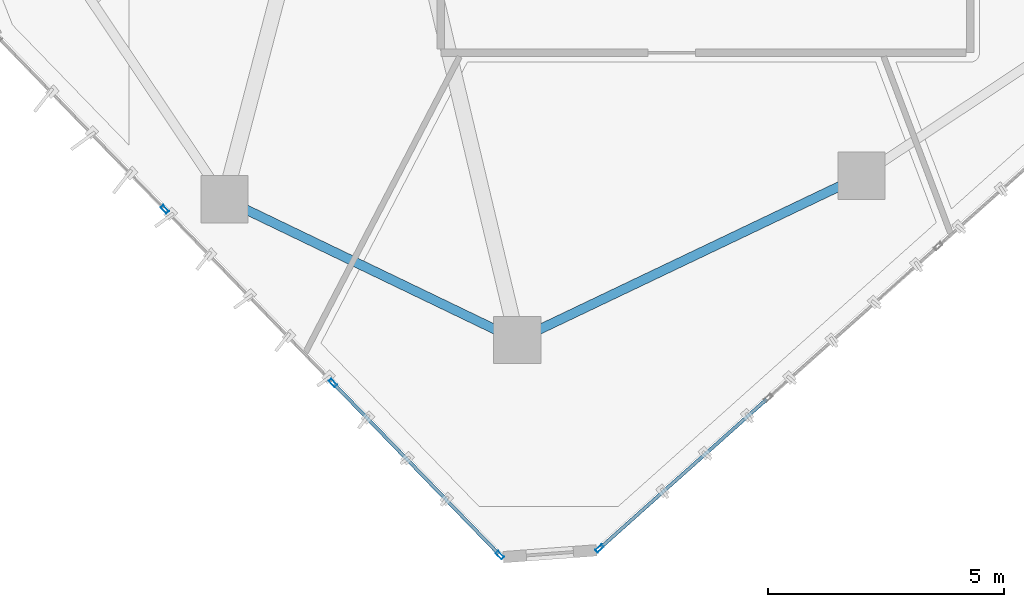
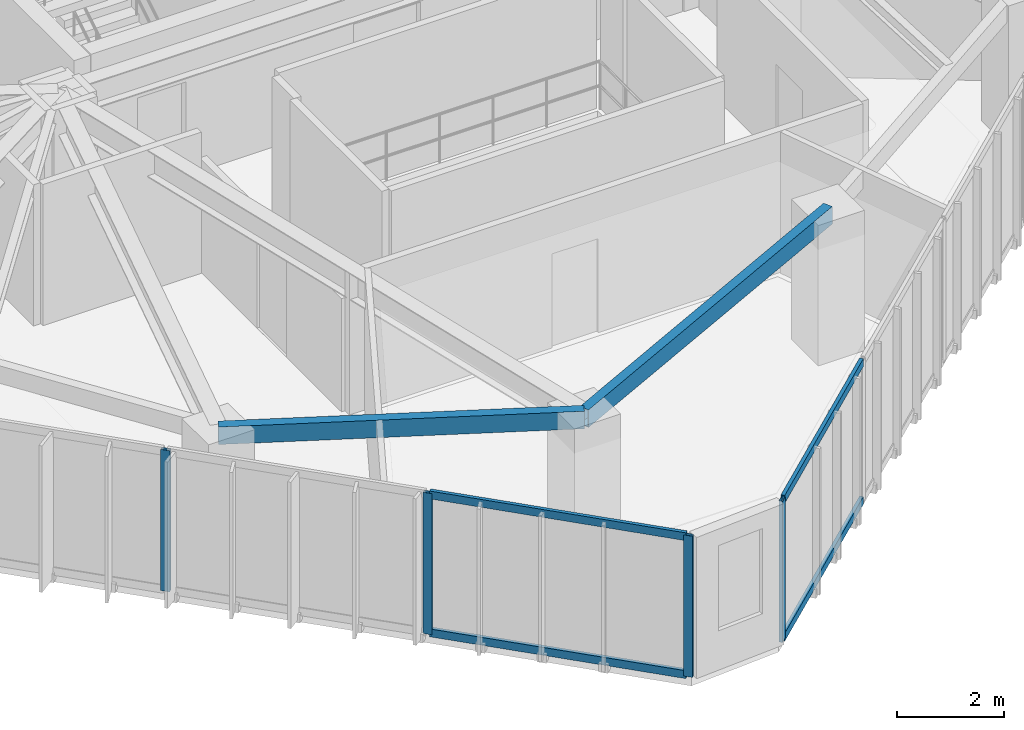
# One storey, part 2 of 20: 8 members, 2 beams, 2 elements without a shape of their own.
"""IFC4 building model written with IfcOpenShell, lengths in metres."""

from ifc_helpers import new_model, si_unit, direction, frame, origin, origin_2d, place, context, subcontext, project, spatial, hollow_rectangle, extrude, source, transform, mapped, material, layer, layer_set, material_profile, profile_set, type_object, type_shapes, element, aggregate, save


model = new_model("IFC4")

# Units and contexts
model_context = context("Model", 3, precision=1e-05, world=origin(), true_north=direction((0.0, 1.0)))
body_context = subcontext(model_context, "Body", "Model", "MODEL_VIEW")
ifc_project = project(units=[si_unit("LENGTHUNIT", "METRE"), si_unit("AREAUNIT", "SQUARE_METRE"), si_unit("VOLUMEUNIT", "CUBIC_METRE"), si_unit("PLANEANGLEUNIT", "RADIAN"), si_unit("MASSUNIT", "GRAM", prefix="KILO")], contexts=[model_context])

# Site, building, storey
site_placement = place(None, origin())
site = spatial("IfcSite", under=ifc_project, at=site_placement, CompositionType="ELEMENT")
building_placement = place(site_placement, origin())
building = spatial("IfcBuilding", under=site, at=building_placement, Name="Talar Marvaseh", CompositionType="ELEMENT")
storey_placement = place(building_placement, frame((0.0, 0.0, 215.199951171875)))
storey = spatial("IfcBuildingStorey", under=building, at=storey_placement, Name="L56", CompositionType="ELEMENT", Elevation=215.199951171875)

# Beams
ifc_material_1 = material(Name="Steel S355", Category="steel")
ifc_material_profile_1 = material_profile(ifc_material_1, hollow_rectangle(XDim=0.199951171875, YDim=0.39990234375, WallThickness=0.013916015625, at=origin_2d()), Name="RHS400x200x14")
ifc_profile_set_1 = profile_set([ifc_material_profile_1], Name="Steel S355")
beam_type = type_object("IfcBeamType", Name="Zone 3 Perimeter Spandrel Beam RHS400x200x14", PredefinedType="SPANDREL", material=ifc_profile_set_1)
beam_1_placement = place(storey_placement, frame((29.299072265625, 14.993896484375, 3.030029296875), z_axis=(-0.902562267408, -0.430559349511, 0.0), x_axis=(0.430559349511, -0.902562267408, 0.0)))
element("IfcBeam", 1, at=beam_1_placement, inside=storey, type_object=beam_type, Name="L56 Zone 3 Perimeter Spandrel Beam RHS400x200x14", PredefinedType="SPANDREL", context=body_context, shape_type="SweptSolid", body=[
    extrude(hollow_rectangle(XDim=0.199951171875, YDim=0.39990234375, WallThickness=0.013916015625, at=origin_2d()), origin(), (0.0, 0.0, 1.0), 8.070556640625),
])
beam_2_placement = place(storey_placement, frame((22.014892578125, 11.51904296875, 3.030029296875), z_axis=(-0.901071562993, 0.433670425975, 0.0), x_axis=(-0.433670425975, -0.901071562993, 0.0)))
element("IfcBeam", 2, at=beam_2_placement, inside=storey, type_object=beam_type, Name="L56 Zone 3 Perimeter Spandrel Beam RHS400x200x14", PredefinedType="SPANDREL", context=body_context, shape_type="SweptSolid", body=[
    extrude(hollow_rectangle(XDim=0.199951171875, YDim=0.39990234375, WallThickness=0.013916015625, at=origin_2d()), origin(), (0.0, 0.0, 1.0), 6.8759765625),
])

# Curtain wall, members
ifc_material_2 = material(Name="Architectural Aluminium", Category="aluminium")
ifc_layer = layer(ifc_material_2, 0.18994140625)
ifc_layer_set = layer_set([ifc_layer], Name="Architectural Aluminium")
curtain_wall_type = type_object("IfcCurtainWallType", Name="Unitised Solar Atelier Curtain Wall Z3", PredefinedType="NOTDEFINED", material=ifc_layer_set)
curtain_wall_1_placement = place(storey_placement, origin())
curtain_wall_1 = element("IfcCurtainWall", 3, at=curtain_wall_1_placement, inside=storey, type_object=curtain_wall_type, Name="L56 Unitised Solar Atelier Curtain Wall Z3", PredefinedType="NOTDEFINED")
ifc_material_profile_2 = material_profile(ifc_material_2, hollow_rectangle(XDim=0.074951171875, YDim=0.179931640625, WallThickness=0.0048828125, at=origin_2d()), Name="RHS180x75x5")
ifc_profile_set_2 = profile_set([ifc_material_profile_2], Name="Architectural Aluminium")
member_type_1 = type_object("IfcMemberType", Name="Unitised Curtain Wall Standard Mullion RHS180x75x5", PredefinedType="MULLION", material=ifc_profile_set_2)
shared_shape_1 = source(origin(), body_context, "Body", "SweptSolid", [
    extrude(hollow_rectangle(XDim=0.074951171875, YDim=0.179931640625, WallThickness=0.0048828125, at=origin_2d()), origin(), (0.0, 0.0, 1.0), 3.22998046875),
])
type_shapes(member_type_1, [shared_shape_1])
member_1_placement = place(storey_placement, frame((21.647705078125, 6.9697265625, 0.0), z_axis=(0.0, 0.0, 1.0), x_axis=(-0.718173328427, -0.695864261431, 0.0)))
member_1 = element("IfcMember", 4, at=member_1_placement, type_object=member_type_1, Name="CW-Z3 mullion 1", PredefinedType="MULLION", context=body_context, shape_type="MappedRepresentation", body=[
    mapped(shared_shape_1, transform((0.0, 0.0, 0.0), x_axis=(1.0, 0.0, 0.0), y_axis=(0.0, 1.0, 0.0), z_axis=(0.0, 0.0, 1.0), scale=1.0)),
])
member_2_placement = place(storey_placement, frame((18.11572265625, 10.614990234375, 0.0), z_axis=(0.0, 0.0, 1.0), x_axis=(-0.718173328427, -0.695864261431, 0.0)))
member_2 = element("IfcMember", 5, at=member_2_placement, type_object=member_type_1, Name="CW-Z3 mullion 2", PredefinedType="MULLION", context=body_context, shape_type="MappedRepresentation", body=[
    mapped(shared_shape_1, transform((0.0, 0.0, 0.0), x_axis=(1.0, 0.0, 0.0), y_axis=(0.0, 1.0, 0.0), z_axis=(0.0, 0.0, 1.0), scale=1.0)),
])
member_3_placement = place(storey_placement, frame((14.557861328125, 14.286865234375, 0.0), z_axis=(0.0, 0.0, 1.0), x_axis=(-0.718173328427, -0.695864261431, 0.0)))
member_3 = element("IfcMember", 6, at=member_3_placement, type_object=member_type_1, Name="CW-Z3 mullion 3", PredefinedType="MULLION", context=body_context, shape_type="MappedRepresentation", body=[
    mapped(shared_shape_1, transform((0.0, 0.0, 0.0), x_axis=(1.0, 0.0, 0.0), y_axis=(0.0, 1.0, 0.0), z_axis=(0.0, 0.0, 1.0), scale=1.0)),
])

# Curtain wall, member
curtain_wall_2_placement = place(storey_placement, origin())
curtain_wall_2 = element("IfcCurtainWall", 7, at=curtain_wall_2_placement, inside=storey, type_object=curtain_wall_type, Name="L56 Unitised Solar Atelier Curtain Wall Z3", PredefinedType="NOTDEFINED")
member_4_placement = place(storey_placement, frame((23.75732421875, 7.10888671875, 0.0), z_axis=(0.0, 0.0, 1.0), x_axis=(0.665997945274, -0.74595357556, 0.0)))
member_4 = element("IfcMember", 8, at=member_4_placement, type_object=member_type_1, Name="CW-Z3 mullion 5", PredefinedType="MULLION", context=body_context, shape_type="MappedRepresentation", body=[
    mapped(shared_shape_1, transform((0.0, 0.0, 0.0), x_axis=(1.0, 0.0, 0.0), y_axis=(0.0, 1.0, 0.0), z_axis=(0.0, 0.0, 1.0), scale=1.0)),
])

# Member
ifc_material_profile_3 = material_profile(ifc_material_2, hollow_rectangle(XDim=0.074951171875, YDim=0.179931640625, WallThickness=0.0048828125, at=origin_2d()), Name="RHS180x75x5")
ifc_profile_set_3 = profile_set([ifc_material_profile_3], Name="Architectural Aluminium")
member_type_2 = type_object("IfcMemberType", Name="Unitised Curtain Wall Transom RHS180x75x5", PredefinedType="USERDEFINED", material=ifc_profile_set_3)
shared_shape_2 = source(origin(), body_context, "Body", "SweptSolid", [
    extrude(hollow_rectangle(XDim=0.074951171875, YDim=0.179931640625, WallThickness=0.0048828125, at=origin_2d()), origin(), (0.0, 0.0, 1.0), 5.00048828125),
])
member_5_placement = place(storey_placement, frame((21.62158203125, 6.996826171875, 0.03759765625), z_axis=(-0.69588729915, 0.718151005626, 0.0), x_axis=(-0.718151005626, -0.69588729915, 0.0)))
member_5 = element("IfcMember", 9, at=member_5_placement, type_object=member_type_2, Name="CW-Z3 transom 1.1", ObjectType="TRANSOM", PredefinedType="USERDEFINED", context=body_context, shape_type="MappedRepresentation", body=[
    mapped(shared_shape_2, transform((0.0, 0.0, 0.0), x_axis=(1.0, 0.0, 0.0), y_axis=(0.0, 1.0, 0.0), z_axis=(0.0, 0.0, 1.0), scale=1.0)),
])

member_6_placement = place(storey_placement, frame((21.62158203125, 6.996826171875, 3.192626953125), z_axis=(-0.69588729915, 0.718151005626, 0.0), x_axis=(-0.718151005626, -0.69588729915, 0.0)))
member_6 = element("IfcMember", 10, at=member_6_placement, type_object=member_type_2, Name="CW-Z3 transom 1.2", ObjectType="TRANSOM", PredefinedType="USERDEFINED", context=body_context, shape_type="MappedRepresentation", body=[
    mapped(shared_shape_2, transform((0.0, 0.0, 0.0), x_axis=(1.0, 0.0, 0.0), y_axis=(0.0, 1.0, 0.0), z_axis=(0.0, 0.0, 1.0), scale=1.0)),
])

aggregate(curtain_wall_1, [member_1, member_2, member_3, member_5, member_6])

shared_shape_3 = source(origin(), body_context, "Body", "SweptSolid", [
    extrude(hollow_rectangle(XDim=0.074951171875, YDim=0.179931640625, WallThickness=0.0048828125, at=origin_2d()), origin(), (0.0, 0.0, 1.0), 4.70947265625),
])
type_shapes(member_type_2, [shared_shape_2, shared_shape_3])
member_7_placement = place(storey_placement, frame((27.29833984375, 10.2705078125, 0.03759765625), z_axis=(-0.745920185275, -0.666035342304, 0.0), x_axis=(0.666035342304, -0.745920185275, 0.0)))
member_7 = element("IfcMember", 11, at=member_7_placement, type_object=member_type_2, Name="CW-Z3 transom 4.1", ObjectType="TRANSOM", PredefinedType="USERDEFINED", context=body_context, shape_type="MappedRepresentation", body=[
    mapped(shared_shape_3, transform((0.0, 0.0, 0.0), x_axis=(1.0, 0.0, 0.0), y_axis=(0.0, 1.0, 0.0), z_axis=(0.0, 0.0, 1.0), scale=1.0)),
])

member_8_placement = place(storey_placement, frame((27.29833984375, 10.2705078125, 3.192626953125), z_axis=(-0.745920185275, -0.666035342304, 0.0), x_axis=(0.666035342304, -0.745920185275, 0.0)))
member_8 = element("IfcMember", 12, at=member_8_placement, type_object=member_type_2, Name="CW-Z3 transom 4.2", ObjectType="TRANSOM", PredefinedType="USERDEFINED", context=body_context, shape_type="MappedRepresentation", body=[
    mapped(shared_shape_3, transform((0.0, 0.0, 0.0), x_axis=(1.0, 0.0, 0.0), y_axis=(0.0, 1.0, 0.0), z_axis=(0.0, 0.0, 1.0), scale=1.0)),
])

aggregate(curtain_wall_2, [member_4, member_7, member_8])

save(model, "model.ifc")
